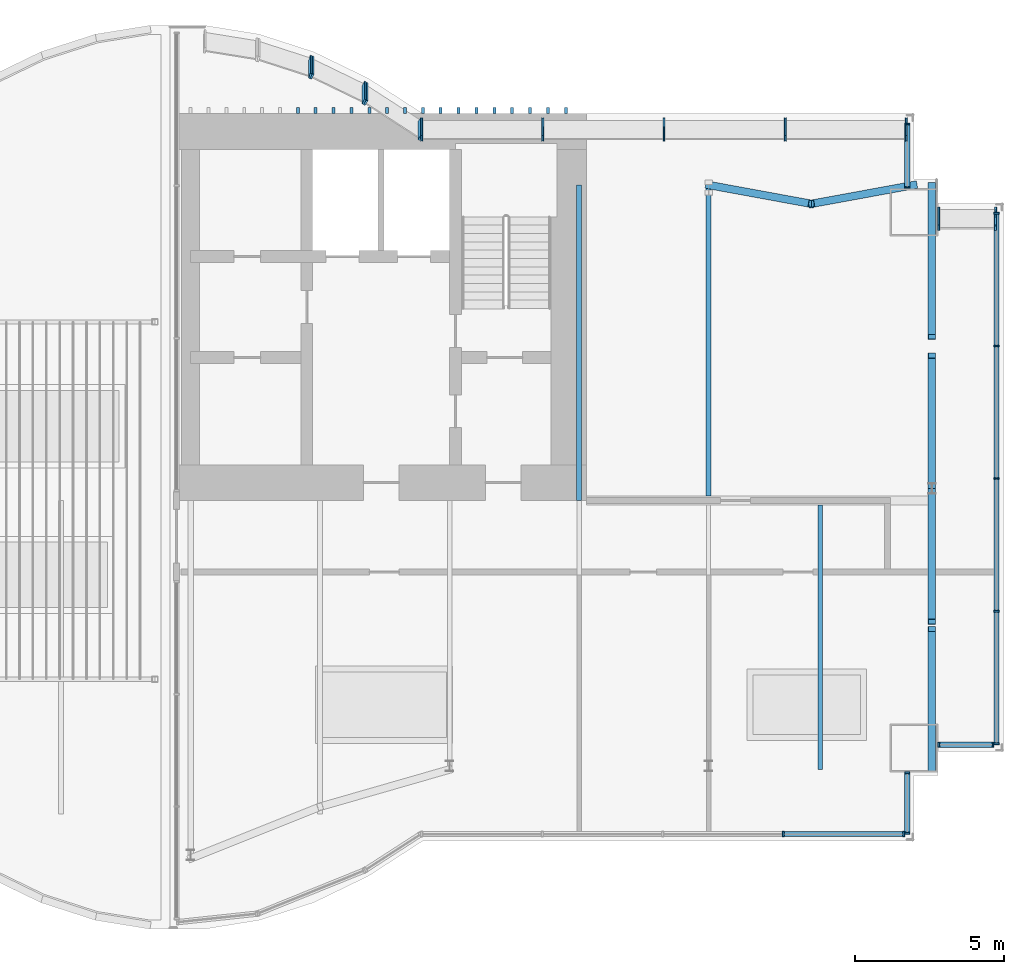
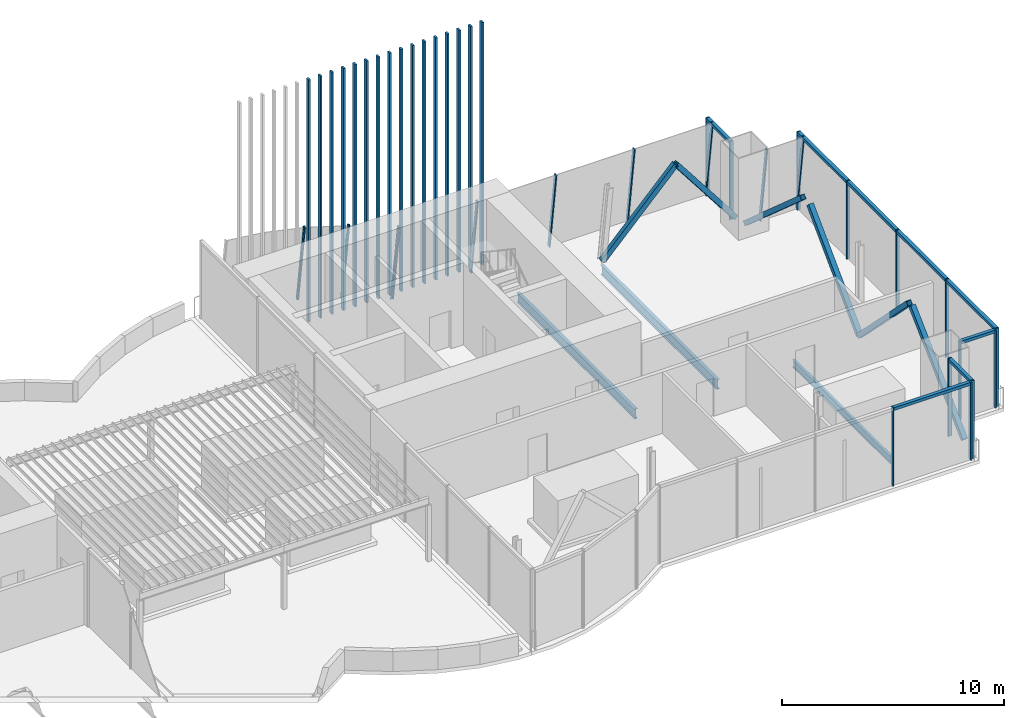
# One storey, part 9 of 18: 55 members, 3 beams, 11 elements without a shape of their own.
"""IFC4 building model written with IfcOpenShell, lengths in metres."""

from ifc_helpers import new_model, si_unit, direction, frame, origin, origin_2d, place, context, subcontext, project, spatial, rectangle, hollow_rectangle, i_section, extrude, material, material_profile, profile_set, type_object, element, aggregate, save


model = new_model("IFC4")

# Units and contexts
model_context = context("Model", 3, precision=1e-05, world=origin(), true_north=direction((0.0, 1.0)))
body_context = subcontext(model_context, "Body", "Model", "MODEL_VIEW")
ifc_project = project(units=[si_unit("LENGTHUNIT", "METRE"), si_unit("AREAUNIT", "SQUARE_METRE"), si_unit("VOLUMEUNIT", "CUBIC_METRE"), si_unit("PLANEANGLEUNIT", "RADIAN"), si_unit("MASSUNIT", "GRAM", prefix="KILO")], contexts=[model_context])

# Site, building, storey
site_placement = place(None, origin())
site = spatial("IfcSite", under=ifc_project, at=site_placement, CompositionType="ELEMENT")
building_placement = place(site_placement, origin())
building = spatial("IfcBuilding", under=site, at=building_placement, Name="Bicima Exchange Tower", CompositionType="ELEMENT")
storey_placement = place(building_placement, frame((0.0, 0.0, 347.89990234375)))
storey = spatial("IfcBuildingStorey", under=building, at=storey_placement, Name="L78", CompositionType="ELEMENT", Elevation=347.89990234375)

# Curtain wall, members
ifc_material_1 = material(Name="Anodised bronze aluminium", Category="aluminium")
curtain_wall_type_1 = type_object("IfcCurtainWallType", Name="Crown glass wall", PredefinedType="NOTDEFINED", material=ifc_material_1)
curtain_wall_1_placement = place(storey_placement, origin())
curtain_wall_1 = element("IfcCurtainWall", 1, at=curtain_wall_1_placement, inside=storey, type_object=curtain_wall_type_1, Name="Crown glass wall L78 run 1", PredefinedType="NOTDEFINED")
ifc_material_profile_1 = material_profile(ifc_material_1, rectangle(XDim=0.179931640625, YDim=0.06005859375, at=origin_2d()))
ifc_profile_set_1 = profile_set([ifc_material_profile_1], Name="Anodised bronze aluminium")
member_type_1 = type_object("IfcMemberType", Name="Crown glass wall mullion 60 x 180", PredefinedType="MULLION", material=ifc_profile_set_1)
member_1_placement = place(storey_placement, frame((32.77001953125, -2.486083984375, 0.0), z_axis=(0.0, 0.0, 1.0), x_axis=(-1.0, 0.0, 0.0)))
member_1 = element("IfcMember", 2, at=member_1_placement, type_object=member_type_1, Name="Crown glass wall mullion 1", PredefinedType="MULLION", context=body_context, shape_type="SweptSolid", body=[
    extrude(rectangle(XDim=0.179931640625, YDim=0.06005859375, at=origin_2d()), origin(), (0.0, 0.0, 1.0), 4.300048828125),
])
member_2_placement = place(storey_placement, frame((32.77001953125, -0.35009765625, 0.0), z_axis=(0.0, 0.0, 1.0), x_axis=(-1.0, 0.0, 0.0)))
member_2 = element("IfcMember", 3, at=member_2_placement, type_object=member_type_1, Name="Crown glass wall mullion 2", PredefinedType="MULLION", context=body_context, shape_type="SweptSolid", body=[
    extrude(rectangle(XDim=0.179931640625, YDim=0.06005859375, at=origin_2d()), origin(), (0.0, 0.0, 1.0), 4.300048828125),
])

curtain_wall_2_placement = place(storey_placement, origin())
curtain_wall_2 = element("IfcCurtainWall", 4, at=curtain_wall_2_placement, inside=storey, type_object=curtain_wall_type_1, Name="Crown glass wall L78 run 12", PredefinedType="NOTDEFINED")
member_3_placement = place(storey_placement, frame((28.60302734375, -24.201904296875, 0.0), z_axis=(0.0, 0.0, 1.0), x_axis=(0.0, 1.0, 0.0)))
member_3 = element("IfcMember", 5, at=member_3_placement, type_object=member_type_1, Name="Crown glass wall mullion 4", PredefinedType="MULLION", context=body_context, shape_type="SweptSolid", body=[
    extrude(rectangle(XDim=0.179931640625, YDim=0.06005859375, at=origin_2d()), origin(), (0.0, 0.0, 1.0), 4.300048828125),
])
member_4_placement = place(storey_placement, frame((32.64990234375, -24.201904296875, 0.0), z_axis=(0.0, 0.0, 1.0), x_axis=(0.0, 1.0, 0.0)))
member_4 = element("IfcMember", 6, at=member_4_placement, type_object=member_type_1, Name="Crown glass wall mullion 5", PredefinedType="MULLION", context=body_context, shape_type="SweptSolid", body=[
    extrude(rectangle(XDim=0.179931640625, YDim=0.06005859375, at=origin_2d()), origin(), (0.0, 0.0, 1.0), 4.300048828125),
])

curtain_wall_3_placement = place(storey_placement, origin())
curtain_wall_3 = element("IfcCurtainWall", 7, at=curtain_wall_3_placement, inside=storey, type_object=curtain_wall_type_1, Name="Crown glass wall L78 run 13", PredefinedType="NOTDEFINED")
member_5_placement = place(storey_placement, frame((32.77001953125, -24.172119140625, 0.0), z_axis=(0.0, 0.0, 1.0), x_axis=(-1.0, 0.0, 0.0)))
member_5 = element("IfcMember", 8, at=member_5_placement, type_object=member_type_1, Name="Crown glass wall mullion 1", PredefinedType="MULLION", context=body_context, shape_type="SweptSolid", body=[
    extrude(rectangle(XDim=0.179931640625, YDim=0.06005859375, at=origin_2d()), origin(), (0.0, 0.0, 1.0), 4.300048828125),
])
member_6_placement = place(storey_placement, frame((32.77001953125, -22.139892578125, 0.0), z_axis=(0.0, 0.0, 1.0), x_axis=(-1.0, 0.0, 0.0)))
member_6 = element("IfcMember", 9, at=member_6_placement, type_object=member_type_1, Name="Crown glass wall mullion 2", PredefinedType="MULLION", context=body_context, shape_type="SweptSolid", body=[
    extrude(rectangle(XDim=0.179931640625, YDim=0.06005859375, at=origin_2d()), origin(), (0.0, 0.0, 1.0), 4.300048828125),
])

curtain_wall_4_placement = place(storey_placement, origin())
curtain_wall_4 = element("IfcCurtainWall", 10, at=curtain_wall_4_placement, inside=storey, type_object=curtain_wall_type_1, Name="Crown glass wall L78 run 14", PredefinedType="NOTDEFINED")
member_7_placement = place(storey_placement, frame((33.830078125, -21.201904296875, 0.0), z_axis=(0.0, 0.0, 1.0), x_axis=(0.0, 1.0, 0.0)))
member_7 = element("IfcMember", 11, at=member_7_placement, type_object=member_type_1, Name="Crown glass wall mullion 1", PredefinedType="MULLION", context=body_context, shape_type="SweptSolid", body=[
    extrude(rectangle(XDim=0.179931640625, YDim=0.06005859375, at=origin_2d()), origin(), (0.0, 0.0, 1.0), 4.300048828125),
])
member_8_placement = place(storey_placement, frame((35.64990234375, -21.201904296875, 0.0), z_axis=(0.0, 0.0, 1.0), x_axis=(0.0, 1.0, 0.0)))
member_8 = element("IfcMember", 12, at=member_8_placement, type_object=member_type_1, Name="Crown glass wall mullion 2", PredefinedType="MULLION", context=body_context, shape_type="SweptSolid", body=[
    extrude(rectangle(XDim=0.179931640625, YDim=0.06005859375, at=origin_2d()), origin(), (0.0, 0.0, 1.0), 4.300048828125),
])

curtain_wall_5_placement = place(storey_placement, origin())
curtain_wall_5 = element("IfcCurtainWall", 13, at=curtain_wall_5_placement, inside=storey, type_object=curtain_wall_type_1, Name="Crown glass wall L78 run 15", PredefinedType="NOTDEFINED")
member_9_placement = place(storey_placement, frame((35.77001953125, -21.172119140625, 0.0), z_axis=(0.0, 0.0, 1.0), x_axis=(-1.0, 0.0, 0.0)))
member_9 = element("IfcMember", 14, at=member_9_placement, type_object=member_type_1, Name="Crown glass wall mullion 1", PredefinedType="MULLION", context=body_context, shape_type="SweptSolid", body=[
    extrude(rectangle(XDim=0.179931640625, YDim=0.06005859375, at=origin_2d()), origin(), (0.0, 0.0, 1.0), 4.300048828125),
])
member_10_placement = place(storey_placement, frame((35.77001953125, -16.716552734375, 0.0), z_axis=(0.0, 0.0, 1.0), x_axis=(-1.0, 0.0, 0.0)))
member_10 = element("IfcMember", 15, at=member_10_placement, type_object=member_type_1, Name="Crown glass wall mullion 2", PredefinedType="MULLION", context=body_context, shape_type="SweptSolid", body=[
    extrude(rectangle(XDim=0.179931640625, YDim=0.06005859375, at=origin_2d()), origin(), (0.0, 0.0, 1.0), 4.300048828125),
])
member_11_placement = place(storey_placement, frame((35.77001953125, -12.260986328125, 0.0), z_axis=(0.0, 0.0, 1.0), x_axis=(-1.0, 0.0, 0.0)))
member_11 = element("IfcMember", 16, at=member_11_placement, type_object=member_type_1, Name="Crown glass wall mullion 3", PredefinedType="MULLION", context=body_context, shape_type="SweptSolid", body=[
    extrude(rectangle(XDim=0.179931640625, YDim=0.06005859375, at=origin_2d()), origin(), (0.0, 0.0, 1.0), 4.300048828125),
])
member_12_placement = place(storey_placement, frame((35.77001953125, -7.805419921875, 0.0), z_axis=(0.0, 0.0, 1.0), x_axis=(-1.0, 0.0, 0.0)))
member_12 = element("IfcMember", 17, at=member_12_placement, type_object=member_type_1, Name="Crown glass wall mullion 4", PredefinedType="MULLION", context=body_context, shape_type="SweptSolid", body=[
    extrude(rectangle(XDim=0.179931640625, YDim=0.06005859375, at=origin_2d()), origin(), (0.0, 0.0, 1.0), 4.300048828125),
])
member_13_placement = place(storey_placement, frame((35.77001953125, -3.35009765625, 0.0), z_axis=(0.0, 0.0, 1.0), x_axis=(-1.0, 0.0, 0.0)))
member_13 = element("IfcMember", 18, at=member_13_placement, type_object=member_type_1, Name="Crown glass wall mullion 5", PredefinedType="MULLION", context=body_context, shape_type="SweptSolid", body=[
    extrude(rectangle(XDim=0.179931640625, YDim=0.06005859375, at=origin_2d()), origin(), (0.0, 0.0, 1.0), 4.300048828125),
])

curtain_wall_6_placement = place(storey_placement, origin())
curtain_wall_6 = element("IfcCurtainWall", 19, at=curtain_wall_6_placement, inside=storey, type_object=curtain_wall_type_1, Name="Crown tilted glass L78 2.1", PredefinedType="NOTDEFINED")
member_14_placement = place(storey_placement, frame((32.739990234375, -0.22998046875, 0.0), z_axis=(0.0, -0.139154039626, 0.99027074745), x_axis=(0.0, -0.99027074745, -0.139154039626)))
member_14 = element("IfcMember", 20, at=member_14_placement, type_object=member_type_1, Name="Crown tilted mullion 1", PredefinedType="MULLION", context=body_context, shape_type="SweptSolid", body=[
    extrude(rectangle(XDim=0.179931640625, YDim=0.06005859375, at=origin_2d()), origin(), (0.0, 0.0, 1.0), 4.34228515625),
])
member_15_placement = place(storey_placement, frame((28.67041015625, -0.22998046875, 0.0), z_axis=(0.0, -0.139154039626, 0.99027074745), x_axis=(0.0, -0.99027074745, -0.139154039626)))
member_15 = element("IfcMember", 21, at=member_15_placement, type_object=member_type_1, Name="Crown tilted mullion 2", PredefinedType="MULLION", context=body_context, shape_type="SweptSolid", body=[
    extrude(rectangle(XDim=0.179931640625, YDim=0.06005859375, at=origin_2d()), origin(), (0.0, 0.0, 1.0), 4.34228515625),
])
member_16_placement = place(storey_placement, frame((24.60107421875, -0.22998046875, 0.0), z_axis=(0.0, -0.139154039626, 0.99027074745), x_axis=(0.0, -0.99027074745, -0.139154039626)))
member_16 = element("IfcMember", 22, at=member_16_placement, type_object=member_type_1, Name="Crown tilted mullion 3", PredefinedType="MULLION", context=body_context, shape_type="SweptSolid", body=[
    extrude(rectangle(XDim=0.179931640625, YDim=0.06005859375, at=origin_2d()), origin(), (0.0, 0.0, 1.0), 4.34228515625),
])
member_17_placement = place(storey_placement, frame((20.531494140625, -0.22998046875, 0.0), z_axis=(0.0, -0.139154039626, 0.99027074745), x_axis=(0.0, -0.99027074745, -0.139154039626)))
member_17 = element("IfcMember", 23, at=member_17_placement, type_object=member_type_1, Name="Crown tilted mullion 4", PredefinedType="MULLION", context=body_context, shape_type="SweptSolid", body=[
    extrude(rectangle(XDim=0.179931640625, YDim=0.06005859375, at=origin_2d()), origin(), (0.0, 0.0, 1.0), 4.34228515625),
])
member_18_placement = place(storey_placement, frame((16.462158203125, -0.22998046875, 0.0), z_axis=(0.0, -0.139154039626, 0.99027074745), x_axis=(0.0, -0.99027074745, -0.139154039626)))
member_18 = element("IfcMember", 24, at=member_18_placement, type_object=member_type_1, Name="Crown tilted mullion 5", PredefinedType="MULLION", context=body_context, shape_type="SweptSolid", body=[
    extrude(rectangle(XDim=0.179931640625, YDim=0.06005859375, at=origin_2d()), origin(), (0.0, 0.0, 1.0), 4.34228515625),
])
aggregate(curtain_wall_6, [member_14, member_15, member_16, member_17, member_18])

curtain_wall_7_placement = place(storey_placement, origin())
curtain_wall_7 = element("IfcCurtainWall", 25, at=curtain_wall_7_placement, inside=storey, type_object=curtain_wall_type_1, Name="Crown tilted glass L78 3.1", PredefinedType="NOTDEFINED")
member_19_placement = place(storey_placement, frame((16.406982421875, -0.213623046875, 0.0), z_axis=(0.0, -0.139209174124, 0.990262998319), x_axis=(-0.542910648791, -0.831613425201, -0.116906537262)))
member_19 = element("IfcMember", 26, at=member_19_placement, type_object=member_type_1, Name="Crown tilted mullion 1", PredefinedType="MULLION", context=body_context, shape_type="SweptSolid", body=[
    extrude(rectangle(XDim=0.179931640625, YDim=0.06005859375, at=origin_2d()), origin(), (0.0, 0.0, 1.0), 4.34228515625),
])
member_20_placement = place(storey_placement, frame((14.578857421875, 0.968017578125, 0.0), z_axis=(0.0, -0.139154039626, 0.99027074745), x_axis=(-0.542910648791, -0.831619932848, -0.116860235837)))
member_20 = element("IfcMember", 27, at=member_20_placement, type_object=member_type_1, Name="Crown tilted mullion 2", PredefinedType="MULLION", context=body_context, shape_type="SweptSolid", body=[
    extrude(rectangle(XDim=0.179931640625, YDim=0.06005859375, at=origin_2d()), origin(), (0.0, 0.0, 1.0), 4.34228515625),
])
aggregate(curtain_wall_7, [member_19, member_20])

curtain_wall_8_placement = place(storey_placement, origin())
curtain_wall_8 = element("IfcCurtainWall", 28, at=curtain_wall_8_placement, inside=storey, type_object=curtain_wall_type_1, Name="Crown tilted glass L78 4.1", PredefinedType="NOTDEFINED")
member_21_placement = place(storey_placement, frame((14.526611328125, 0.99755859375, 0.0), z_axis=(0.0, -0.139154039626, 0.99027074745), x_axis=(-0.436264762204, -0.891063786867, -0.125213357889)))
member_21 = element("IfcMember", 29, at=member_21_placement, type_object=member_type_1, Name="Crown tilted mullion 1", PredefinedType="MULLION", context=body_context, shape_type="SweptSolid", body=[
    extrude(rectangle(XDim=0.179931640625, YDim=0.06005859375, at=origin_2d()), origin(), (0.0, 0.0, 1.0), 4.34228515625),
])
member_22_placement = place(storey_placement, frame((12.7744140625, 1.84716796875, 0.0), z_axis=(0.0, -0.139154039626, 0.99027074745), x_axis=(-0.436264762204, -0.891063786867, -0.125213357889)))
member_22 = element("IfcMember", 30, at=member_22_placement, type_object=member_type_1, Name="Crown tilted mullion 2", PredefinedType="MULLION", context=body_context, shape_type="SweptSolid", body=[
    extrude(rectangle(XDim=0.179931640625, YDim=0.06005859375, at=origin_2d()), origin(), (0.0, 0.0, 1.0), 4.34228515625),
])
aggregate(curtain_wall_8, [member_21, member_22])

# Curtain wall, member
curtain_wall_9_placement = place(storey_placement, origin())
curtain_wall_9 = element("IfcCurtainWall", 31, at=curtain_wall_9_placement, inside=storey, type_object=curtain_wall_type_1, Name="Crown tilted glass L78 5.1", PredefinedType="NOTDEFINED")
member_23_placement = place(storey_placement, frame((12.71875, 1.869384765625, 0.0), z_axis=(0.0, -0.139154039626, 0.99027074745), x_axis=(-0.307572519808, -0.942267018828, -0.132408497791)))
member_23 = element("IfcMember", 32, at=member_23_placement, type_object=member_type_1, Name="Crown tilted mullion 1", PredefinedType="MULLION", context=body_context, shape_type="SweptSolid", body=[
    extrude(rectangle(XDim=0.179931640625, YDim=0.06005859375, at=origin_2d()), origin(), (0.0, 0.0, 1.0), 4.34228515625),
])
aggregate(curtain_wall_9, [member_23])

# Curtain wall, members
curtain_wall_10_placement = place(storey_placement, origin())
curtain_wall_10 = element("IfcCurtainWall", 33, at=curtain_wall_10_placement, inside=storey, type_object=curtain_wall_type_1, Name="Crown tilted glass L78 18.1", PredefinedType="NOTDEFINED")
member_24_placement = place(storey_placement, frame((35.739990234375, -3.22998046875, 0.0), z_axis=(0.0, -0.139154039626, 0.99027074745), x_axis=(0.0, -0.99027074745, -0.139154039626)))
member_24 = element("IfcMember", 34, at=member_24_placement, type_object=member_type_1, Name="Crown tilted mullion 1", PredefinedType="MULLION", context=body_context, shape_type="SweptSolid", body=[
    extrude(rectangle(XDim=0.179931640625, YDim=0.06005859375, at=origin_2d()), origin(), (0.0, 0.0, 1.0), 4.34228515625),
])
member_25_placement = place(storey_placement, frame((33.830078125, -3.22998046875, 0.0), z_axis=(0.0, -0.139154039626, 0.99027074745), x_axis=(0.0, -0.99027074745, -0.139154039626)))
member_25 = element("IfcMember", 35, at=member_25_placement, type_object=member_type_1, Name="Crown tilted mullion 2", PredefinedType="MULLION", context=body_context, shape_type="SweptSolid", body=[
    extrude(rectangle(XDim=0.179931640625, YDim=0.06005859375, at=origin_2d()), origin(), (0.0, 0.0, 1.0), 4.34228515625),
])
aggregate(curtain_wall_10, [member_24, member_25])

# Member
ifc_material_profile_2 = material_profile(ifc_material_1, rectangle(XDim=0.179931640625, YDim=0.159912109375, at=origin_2d()))
ifc_profile_set_2 = profile_set([ifc_material_profile_2], Name="Anodised bronze aluminium")
member_type_2 = type_object("IfcMemberType", Name="Crown glass wall transom 160 x 180", PredefinedType="USERDEFINED", material=ifc_profile_set_2)
member_26_placement = place(storey_placement, frame((32.77001953125, -2.456298828125, 4.22021484375), z_axis=(0.0, 1.0, 0.0), x_axis=(-1.0, 0.0, 0.0)))
member_26 = element("IfcMember", 36, at=member_26_placement, type_object=member_type_2, Name="Crown glass wall transom 1.1", ObjectType="TRANSOM", PredefinedType="USERDEFINED", context=body_context, shape_type="SweptSolid", body=[
    extrude(rectangle(XDim=0.179931640625, YDim=0.159912109375, at=origin_2d()), origin(), (0.0, 0.0, 1.0), 2.076416015625),
])

aggregate(curtain_wall_1, [member_1, member_2, member_26])

member_27_placement = place(storey_placement, frame((28.633056640625, -24.201904296875, 4.22021484375), z_axis=(1.0, 0.0, 0.0), x_axis=(0.0, 1.0, 0.0)))
member_27 = element("IfcMember", 37, at=member_27_placement, type_object=member_type_2, Name="Crown glass wall transom 4.1", ObjectType="TRANSOM", PredefinedType="USERDEFINED", context=body_context, shape_type="SweptSolid", body=[
    extrude(rectangle(XDim=0.179931640625, YDim=0.159912109375, at=origin_2d()), origin(), (0.0, 0.0, 1.0), 3.987060546875),
])

aggregate(curtain_wall_2, [member_3, member_4, member_27])

member_28_placement = place(storey_placement, frame((32.77001953125, -24.14208984375, 4.22021484375), z_axis=(0.0, 1.0, 0.0), x_axis=(-1.0, 0.0, 0.0)))
member_28 = element("IfcMember", 38, at=member_28_placement, type_object=member_type_2, Name="Crown glass wall transom 1.1", ObjectType="TRANSOM", PredefinedType="USERDEFINED", context=body_context, shape_type="SweptSolid", body=[
    extrude(rectangle(XDim=0.179931640625, YDim=0.159912109375, at=origin_2d()), origin(), (0.0, 0.0, 1.0), 1.97216796875),
])

aggregate(curtain_wall_3, [member_5, member_6, member_28])

member_29_placement = place(storey_placement, frame((33.860107421875, -21.201904296875, 4.22021484375), z_axis=(1.0, 0.0, 0.0), x_axis=(0.0, 1.0, 0.0)))
member_29 = element("IfcMember", 39, at=member_29_placement, type_object=member_type_2, Name="Crown glass wall transom 1.1", ObjectType="TRANSOM", PredefinedType="USERDEFINED", context=body_context, shape_type="SweptSolid", body=[
    extrude(rectangle(XDim=0.179931640625, YDim=0.159912109375, at=origin_2d()), origin(), (0.0, 0.0, 1.0), 1.760009765625),
])

aggregate(curtain_wall_4, [member_7, member_8, member_29])

member_30_placement = place(storey_placement, frame((35.77001953125, -21.14208984375, 4.22021484375), z_axis=(0.0, 1.0, 0.0), x_axis=(-1.0, 0.0, 0.0)))
member_30 = element("IfcMember", 40, at=member_30_placement, type_object=member_type_2, Name="Crown glass wall transom 1.1", ObjectType="TRANSOM", PredefinedType="USERDEFINED", context=body_context, shape_type="SweptSolid", body=[
    extrude(rectangle(XDim=0.179931640625, YDim=0.159912109375, at=origin_2d()), origin(), (0.0, 0.0, 1.0), 4.3955078125),
])

member_31_placement = place(storey_placement, frame((35.77001953125, -16.6865234375, 4.22021484375), z_axis=(0.0, 1.0, 0.0), x_axis=(-1.0, 0.0, 0.0)))
member_31 = element("IfcMember", 41, at=member_31_placement, type_object=member_type_2, Name="Crown glass wall transom 2.1", ObjectType="TRANSOM", PredefinedType="USERDEFINED", context=body_context, shape_type="SweptSolid", body=[
    extrude(rectangle(XDim=0.179931640625, YDim=0.159912109375, at=origin_2d()), origin(), (0.0, 0.0, 1.0), 4.3955078125),
])

member_32_placement = place(storey_placement, frame((35.77001953125, -12.23095703125, 4.22021484375), z_axis=(0.0, 1.0, 0.0), x_axis=(-1.0, 0.0, 0.0)))
member_32 = element("IfcMember", 42, at=member_32_placement, type_object=member_type_2, Name="Crown glass wall transom 3.1", ObjectType="TRANSOM", PredefinedType="USERDEFINED", context=body_context, shape_type="SweptSolid", body=[
    extrude(rectangle(XDim=0.179931640625, YDim=0.159912109375, at=origin_2d()), origin(), (0.0, 0.0, 1.0), 4.3955078125),
])

member_33_placement = place(storey_placement, frame((35.77001953125, -7.775390625, 4.22021484375), z_axis=(0.0, 1.0, 0.0), x_axis=(-1.0, 0.0, 0.0)))
member_33 = element("IfcMember", 43, at=member_33_placement, type_object=member_type_2, Name="Crown glass wall transom 4.1", ObjectType="TRANSOM", PredefinedType="USERDEFINED", context=body_context, shape_type="SweptSolid", body=[
    extrude(rectangle(XDim=0.179931640625, YDim=0.159912109375, at=origin_2d()), origin(), (0.0, 0.0, 1.0), 4.3955078125),
])

aggregate(curtain_wall_5, [member_9, member_10, member_11, member_12, member_13, member_30, member_31, member_32, member_33])

# Curtain wall, members
curtain_wall_type_2 = type_object("IfcCurtainWallType", Name="Louvre screen", PredefinedType="NOTDEFINED", material=ifc_material_1)
curtain_wall_11_placement = place(storey_placement, origin())
curtain_wall_11 = element("IfcCurtainWall", 44, at=curtain_wall_11_placement, inside=storey, type_object=curtain_wall_type_2, Name="Crown louvre SCREEN east", PredefinedType="NOTDEFINED")
ifc_material_profile_3 = material_profile(ifc_material_1, rectangle(XDim=0.10009765625, YDim=0.199951171875, at=origin_2d()))
ifc_profile_set_3 = profile_set([ifc_material_profile_3], Name="Anodised bronze aluminium")
member_type_3 = type_object("IfcMemberType", Name="Crown louvre fin 200 x 100", PredefinedType="USERDEFINED", material=ifc_profile_set_3)
member_34_placement = place(storey_placement, frame((12.300048828125, 0.10009765625, 0.0), z_axis=(0.0, 0.0, 1.0), x_axis=(1.0, 0.0, 0.0)))
member_34 = element("IfcMember", 45, at=member_34_placement, type_object=member_type_3, Name="Crown louvre fin", ObjectType="SCREEN", PredefinedType="USERDEFINED", context=body_context, shape_type="SweptSolid", body=[
    extrude(rectangle(XDim=0.10009765625, YDim=0.199951171875, at=origin_2d()), origin(), (0.0, 0.0, 1.0), 13.300048828125),
])
member_35_placement = place(storey_placement, frame((12.89990234375, 0.10009765625, 0.0), z_axis=(0.0, 0.0, 1.0), x_axis=(1.0, 0.0, 0.0)))
member_35 = element("IfcMember", 46, at=member_35_placement, type_object=member_type_3, Name="Crown louvre fin", ObjectType="SCREEN", PredefinedType="USERDEFINED", context=body_context, shape_type="SweptSolid", body=[
    extrude(rectangle(XDim=0.10009765625, YDim=0.199951171875, at=origin_2d()), origin(), (0.0, 0.0, 1.0), 13.300048828125),
])
member_36_placement = place(storey_placement, frame((13.5, 0.10009765625, 0.0), z_axis=(0.0, 0.0, 1.0), x_axis=(1.0, 0.0, 0.0)))
member_36 = element("IfcMember", 47, at=member_36_placement, type_object=member_type_3, Name="Crown louvre fin", ObjectType="SCREEN", PredefinedType="USERDEFINED", context=body_context, shape_type="SweptSolid", body=[
    extrude(rectangle(XDim=0.10009765625, YDim=0.199951171875, at=origin_2d()), origin(), (0.0, 0.0, 1.0), 13.300048828125),
])
member_37_placement = place(storey_placement, frame((14.10009765625, 0.10009765625, 0.0), z_axis=(0.0, 0.0, 1.0), x_axis=(1.0, 0.0, 0.0)))
member_37 = element("IfcMember", 48, at=member_37_placement, type_object=member_type_3, Name="Crown louvre fin", ObjectType="SCREEN", PredefinedType="USERDEFINED", context=body_context, shape_type="SweptSolid", body=[
    extrude(rectangle(XDim=0.10009765625, YDim=0.199951171875, at=origin_2d()), origin(), (0.0, 0.0, 1.0), 13.300048828125),
])
member_38_placement = place(storey_placement, frame((14.699951171875, 0.10009765625, 0.0), z_axis=(0.0, 0.0, 1.0), x_axis=(1.0, 0.0, 0.0)))
member_38 = element("IfcMember", 49, at=member_38_placement, type_object=member_type_3, Name="Crown louvre fin", ObjectType="SCREEN", PredefinedType="USERDEFINED", context=body_context, shape_type="SweptSolid", body=[
    extrude(rectangle(XDim=0.10009765625, YDim=0.199951171875, at=origin_2d()), origin(), (0.0, 0.0, 1.0), 13.300048828125),
])
member_39_placement = place(storey_placement, frame((15.300048828125, 0.10009765625, 0.0), z_axis=(0.0, 0.0, 1.0), x_axis=(1.0, 0.0, 0.0)))
member_39 = element("IfcMember", 50, at=member_39_placement, type_object=member_type_3, Name="Crown louvre fin", ObjectType="SCREEN", PredefinedType="USERDEFINED", context=body_context, shape_type="SweptSolid", body=[
    extrude(rectangle(XDim=0.10009765625, YDim=0.199951171875, at=origin_2d()), origin(), (0.0, 0.0, 1.0), 13.300048828125),
])
member_40_placement = place(storey_placement, frame((15.89990234375, 0.10009765625, 0.0), z_axis=(0.0, 0.0, 1.0), x_axis=(1.0, 0.0, 0.0)))
member_40 = element("IfcMember", 51, at=member_40_placement, type_object=member_type_3, Name="Crown louvre fin", ObjectType="SCREEN", PredefinedType="USERDEFINED", context=body_context, shape_type="SweptSolid", body=[
    extrude(rectangle(XDim=0.10009765625, YDim=0.199951171875, at=origin_2d()), origin(), (0.0, 0.0, 1.0), 13.300048828125),
])
member_41_placement = place(storey_placement, frame((16.5, 0.10009765625, 0.0), z_axis=(0.0, 0.0, 1.0), x_axis=(1.0, 0.0, 0.0)))
member_41 = element("IfcMember", 52, at=member_41_placement, type_object=member_type_3, Name="Crown louvre fin", ObjectType="SCREEN", PredefinedType="USERDEFINED", context=body_context, shape_type="SweptSolid", body=[
    extrude(rectangle(XDim=0.10009765625, YDim=0.199951171875, at=origin_2d()), origin(), (0.0, 0.0, 1.0), 13.300048828125),
])
member_42_placement = place(storey_placement, frame((17.10009765625, 0.10009765625, 0.0), z_axis=(0.0, 0.0, 1.0), x_axis=(1.0, 0.0, 0.0)))
member_42 = element("IfcMember", 53, at=member_42_placement, type_object=member_type_3, Name="Crown louvre fin", ObjectType="SCREEN", PredefinedType="USERDEFINED", context=body_context, shape_type="SweptSolid", body=[
    extrude(rectangle(XDim=0.10009765625, YDim=0.199951171875, at=origin_2d()), origin(), (0.0, 0.0, 1.0), 13.300048828125),
])
member_43_placement = place(storey_placement, frame((17.699951171875, 0.10009765625, 0.0), z_axis=(0.0, 0.0, 1.0), x_axis=(1.0, 0.0, 0.0)))
member_43 = element("IfcMember", 54, at=member_43_placement, type_object=member_type_3, Name="Crown louvre fin", ObjectType="SCREEN", PredefinedType="USERDEFINED", context=body_context, shape_type="SweptSolid", body=[
    extrude(rectangle(XDim=0.10009765625, YDim=0.199951171875, at=origin_2d()), origin(), (0.0, 0.0, 1.0), 13.300048828125),
])
member_44_placement = place(storey_placement, frame((18.300048828125, 0.10009765625, 0.0), z_axis=(0.0, 0.0, 1.0), x_axis=(1.0, 0.0, 0.0)))
member_44 = element("IfcMember", 55, at=member_44_placement, type_object=member_type_3, Name="Crown louvre fin", ObjectType="SCREEN", PredefinedType="USERDEFINED", context=body_context, shape_type="SweptSolid", body=[
    extrude(rectangle(XDim=0.10009765625, YDim=0.199951171875, at=origin_2d()), origin(), (0.0, 0.0, 1.0), 13.300048828125),
])
member_45_placement = place(storey_placement, frame((18.89990234375, 0.10009765625, 0.0), z_axis=(0.0, 0.0, 1.0), x_axis=(1.0, 0.0, 0.0)))
member_45 = element("IfcMember", 56, at=member_45_placement, type_object=member_type_3, Name="Crown louvre fin", ObjectType="SCREEN", PredefinedType="USERDEFINED", context=body_context, shape_type="SweptSolid", body=[
    extrude(rectangle(XDim=0.10009765625, YDim=0.199951171875, at=origin_2d()), origin(), (0.0, 0.0, 1.0), 13.300048828125),
])
member_46_placement = place(storey_placement, frame((19.5, 0.10009765625, 0.0), z_axis=(0.0, 0.0, 1.0), x_axis=(1.0, 0.0, 0.0)))
member_46 = element("IfcMember", 57, at=member_46_placement, type_object=member_type_3, Name="Crown louvre fin", ObjectType="SCREEN", PredefinedType="USERDEFINED", context=body_context, shape_type="SweptSolid", body=[
    extrude(rectangle(XDim=0.10009765625, YDim=0.199951171875, at=origin_2d()), origin(), (0.0, 0.0, 1.0), 13.300048828125),
])
member_47_placement = place(storey_placement, frame((20.10009765625, 0.10009765625, 0.0), z_axis=(0.0, 0.0, 1.0), x_axis=(1.0, 0.0, 0.0)))
member_47 = element("IfcMember", 58, at=member_47_placement, type_object=member_type_3, Name="Crown louvre fin", ObjectType="SCREEN", PredefinedType="USERDEFINED", context=body_context, shape_type="SweptSolid", body=[
    extrude(rectangle(XDim=0.10009765625, YDim=0.199951171875, at=origin_2d()), origin(), (0.0, 0.0, 1.0), 13.300048828125),
])
member_48_placement = place(storey_placement, frame((20.699951171875, 0.10009765625, 0.0), z_axis=(0.0, 0.0, 1.0), x_axis=(1.0, 0.0, 0.0)))
member_48 = element("IfcMember", 59, at=member_48_placement, type_object=member_type_3, Name="Crown louvre fin", ObjectType="SCREEN", PredefinedType="USERDEFINED", context=body_context, shape_type="SweptSolid", body=[
    extrude(rectangle(XDim=0.10009765625, YDim=0.199951171875, at=origin_2d()), origin(), (0.0, 0.0, 1.0), 13.300048828125),
])
member_49_placement = place(storey_placement, frame((21.300048828125, 0.10009765625, 0.0), z_axis=(0.0, 0.0, 1.0), x_axis=(1.0, 0.0, 0.0)))
member_49 = element("IfcMember", 60, at=member_49_placement, type_object=member_type_3, Name="Crown louvre fin", ObjectType="SCREEN", PredefinedType="USERDEFINED", context=body_context, shape_type="SweptSolid", body=[
    extrude(rectangle(XDim=0.10009765625, YDim=0.199951171875, at=origin_2d()), origin(), (0.0, 0.0, 1.0), 13.300048828125),
])
aggregate(curtain_wall_11, [member_34, member_35, member_36, member_37, member_38, member_39, member_40, member_41, member_42, member_43, member_44, member_45, member_46, member_47, member_48, member_49])

# Beams
ifc_material_2 = material(Name="Steel ASTM A992 Gr 50", Category="steel")
ifc_material_profile_4 = material_profile(ifc_material_2, i_section(OverallWidth=0.140380859375, OverallDepth=0.40380859375, WebThickness=0.007080078125, FlangeThickness=0.01123046875, at=origin_2d()))
ifc_profile_set_4 = profile_set([ifc_material_profile_4], Name="Steel ASTM A992 Gr 50")
beam_type_1 = type_object("IfcBeamType", Name="Floor beam W16x31", PredefinedType="JOIST", material=ifc_profile_set_4)
beam_1_placement = place(storey_placement, frame((29.85009765625, -13.15234375, -0.40185546875), z_axis=(0.0, -1.0, 0.0), x_axis=(1.0, 0.0, 0.0)))
element("IfcBeam", 61, at=beam_1_placement, inside=storey, type_object=beam_type_1, Name="Floor beam", PredefinedType="JOIST", context=body_context, shape_type="SweptSolid", body=[
    extrude(i_section(OverallWidth=0.140380859375, OverallDepth=0.40380859375, WebThickness=0.007080078125, FlangeThickness=0.01123046875, at=origin_2d()), origin(), (0.0, 0.0, 1.0), 8.879638671875),
])
ifc_material_profile_5 = material_profile(ifc_material_2, i_section(OverallWidth=0.165771484375, OverallDepth=0.5283203125, WebThickness=0.009765625, FlangeThickness=0.013671875, at=origin_2d()))
ifc_profile_set_5 = profile_set([ifc_material_profile_5], Name="Steel ASTM A992 Gr 50")
beam_type_2 = type_object("IfcBeamType", Name="Floor beam W21x50", PredefinedType="JOIST", material=ifc_profile_set_5)
beam_2_placement = place(storey_placement, frame((21.75, -2.39990234375, -0.464111328125), z_axis=(0.0, -1.0, 0.0), x_axis=(1.0, 0.0, 0.0)))
element("IfcBeam", 62, at=beam_2_placement, inside=storey, type_object=beam_type_2, Name="Floor beam", PredefinedType="JOIST", context=body_context, shape_type="SweptSolid", body=[
    extrude(i_section(OverallWidth=0.165771484375, OverallDepth=0.5283203125, WebThickness=0.009765625, FlangeThickness=0.013671875, at=origin_2d()), origin(), (0.0, 0.0, 1.0), 10.60009765625),
])
beam_3_placement = place(storey_placement, frame((26.10009765625, -2.39990234375, -0.464111328125), z_axis=(0.0, -1.0, 0.0), x_axis=(1.0, 0.0, 0.0)))
element("IfcBeam", 63, at=beam_3_placement, inside=storey, type_object=beam_type_2, Name="Floor beam", PredefinedType="JOIST", context=body_context, shape_type="SweptSolid", body=[
    extrude(i_section(OverallWidth=0.165771484375, OverallDepth=0.5283203125, WebThickness=0.009765625, FlangeThickness=0.013671875, at=origin_2d()), origin(), (0.0, 0.0, 1.0), 10.44775390625),
])

# Members
ifc_material_3 = material(Name="Steel ASTM A572 Gr 50", Category="steel")
ifc_material_profile_6 = material_profile(ifc_material_3, hollow_rectangle(XDim=0.25390625, YDim=0.25390625, WallThickness=0.01171875, at=origin_2d()))
ifc_profile_set_6 = profile_set([ifc_material_profile_6], Name="Steel ASTM A572 Gr 50")
member_type_4 = type_object("IfcMemberType", Name="Mega brace HSS10x10x1/2", PredefinedType="BRACE", material=ifc_profile_set_6)
for number, where, z_axis, x_axis, name in (
    (64, (26.10009765625, -2.39990234375, 0.0), (0.604675078933, -0.110870648186, 0.788717787481), (0.180349193954, 0.983602647536, 0.0), "Mega brace rear"),
    (65, (33.0, -2.39990234375, 0.0), (-0.604675078933, -0.110870648186, 0.788717787481), (0.180349193954, -0.983602647536, 0.0), "Mega brace rear"),
):
    element("IfcMember", number, at=place(storey_placement, frame(where, z_axis=z_axis, x_axis=x_axis)), inside=storey, type_object=member_type_4, Name=name, PredefinedType="BRACE", context=body_context, shape_type="SweptSolid", body=[
        extrude(hollow_rectangle(XDim=0.25390625, YDim=0.25390625, WallThickness=0.01171875, at=origin_2d()), origin(), (0.0, 0.0, 1.0), 5.70556640625),
    ])
member_50_placement = place(storey_placement, frame((33.60009765625, -2.39990234375, -0.546630859375), z_axis=(0.0, -0.749844140428, 0.661614513948), x_axis=(1.0, 0.0, 0.0)))
element("IfcMember", 66, at=member_50_placement, inside=storey, type_object=member_type_4, Name="Mega brace east end", PredefinedType="BRACE", context=body_context, shape_type="SweptSolid", body=[
    extrude(hollow_rectangle(XDim=0.25390625, YDim=0.25390625, WallThickness=0.01171875, at=origin_2d()), origin(), (0.0, 0.0, 1.0), 6.801513671875),
])
member_51_placement = place(storey_placement, frame((33.60009765625, -12.60009765625, -0.546630859375), z_axis=(0.0, 0.70456117516, 0.709643255768), x_axis=(-1.0, 0.0, 0.0)))
element("IfcMember", 67, at=member_51_placement, inside=storey, type_object=member_type_4, Name="Mega brace east end", PredefinedType="BRACE", context=body_context, shape_type="SweptSolid", body=[
    extrude(hollow_rectangle(XDim=0.25390625, YDim=0.25390625, WallThickness=0.01171875, at=origin_2d()), origin(), (0.0, 0.0, 1.0), 6.34130859375),
])
member_52_placement = place(storey_placement, frame((33.60009765625, -12.60009765625, -0.546630859375), z_axis=(0.0, -0.704890554478, 0.709316083427), x_axis=(1.0, 0.0, 0.0)))
element("IfcMember", 68, at=member_52_placement, inside=storey, type_object=member_type_4, Name="Mega brace east end", PredefinedType="BRACE", context=body_context, shape_type="SweptSolid", body=[
    extrude(hollow_rectangle(XDim=0.25390625, YDim=0.25390625, WallThickness=0.01171875, at=origin_2d()), origin(), (0.0, 0.0, 1.0), 6.34423828125),
])
member_53_placement = place(storey_placement, frame((33.60009765625, -22.031982421875, -0.546630859375), z_axis=(0.0, 0.723485625889, 0.690339444862), x_axis=(-1.0, 0.0, 0.0)))
element("IfcMember", 69, at=member_53_placement, inside=storey, type_object=member_type_4, Name="Mega brace east end", PredefinedType="BRACE", context=body_context, shape_type="SweptSolid", body=[
    extrude(hollow_rectangle(XDim=0.25390625, YDim=0.25390625, WallThickness=0.01171875, at=origin_2d()), origin(), (0.0, 0.0, 1.0), 6.5185546875),
])

save(model, "model.ifc")
